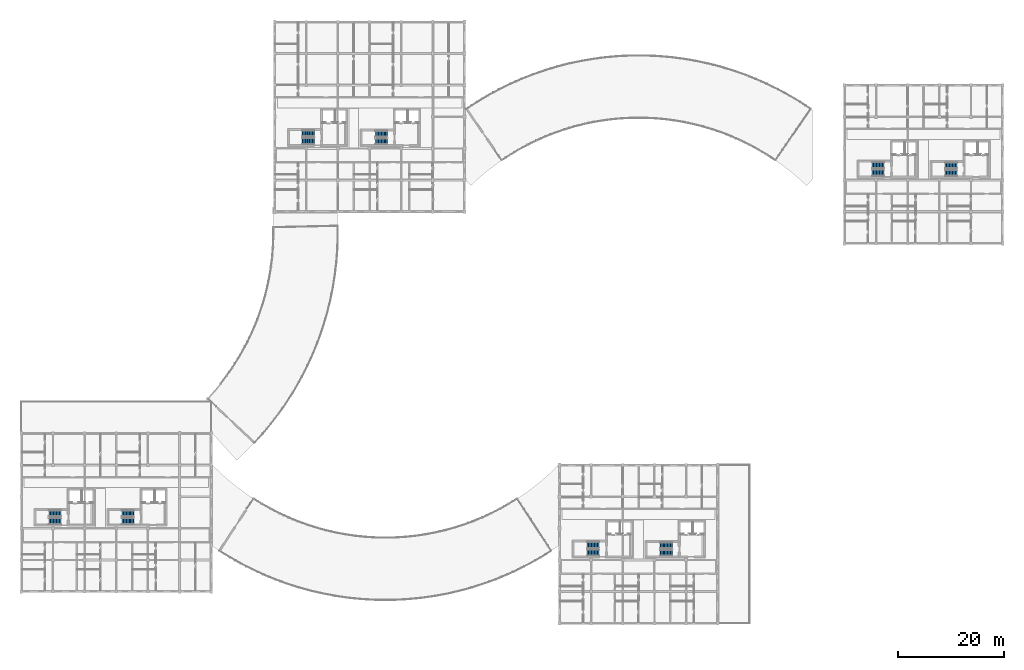
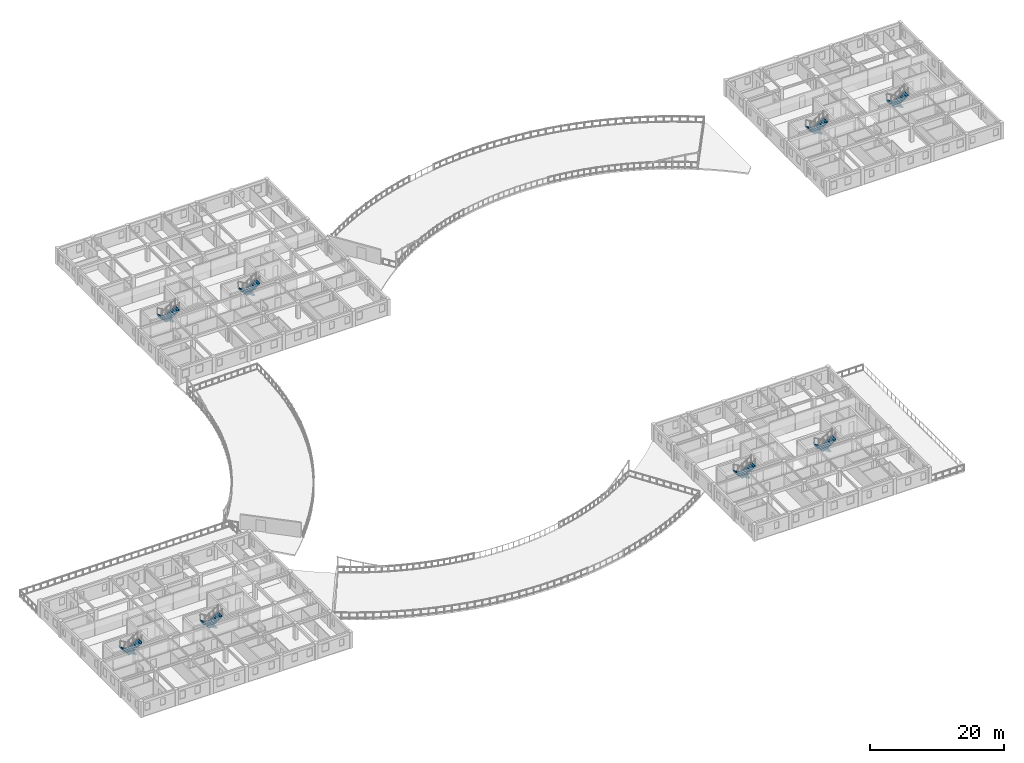
# One storey, part 44 of 58: 16 stair flights, 8 elements without a shape of their own.
"""IFC4 building model written with IfcOpenShell, lengths in metres."""

from ifc_helpers import new_model, si_unit, direction, frame, origin, place, context, subcontext, project, spatial, polyline, outline, extrude, material, type_object, element, aggregate, save


model = new_model("IFC4")

# Units and contexts
model_context = context("Model", 3, precision=1e-05, world=origin(), true_north=direction((0.0, 1.0)))
body_context = subcontext(model_context, "Body", "Model", "MODEL_VIEW")
ifc_project = project(units=[si_unit("LENGTHUNIT", "METRE"), si_unit("AREAUNIT", "SQUARE_METRE"), si_unit("VOLUMEUNIT", "CUBIC_METRE"), si_unit("PLANEANGLEUNIT", "RADIAN"), si_unit("MASSUNIT", "GRAM", prefix="KILO"), si_unit("POWERUNIT", "WATT"), si_unit("THERMODYNAMICTEMPERATUREUNIT", "KELVIN")], contexts=[model_context])

# Site, building, storey
site_placement = place(None, origin())
site = spatial("IfcSite", under=ifc_project, at=site_placement, CompositionType="ELEMENT")
building_placement = place(site_placement, origin())
building = spatial("IfcBuilding", under=site, at=building_placement, Name="Ruvembo Vaulted Housing Court", CompositionType="ELEMENT")
storey_placement = place(building_placement, frame((0.0, 0.0, 20.5)))
storey = spatial("IfcBuildingStorey", under=building, at=storey_placement, Name="L06", CompositionType="ELEMENT", Elevation=20.5)

# Stair, stair flights
ifc_material = material(Name="Concrete C35/45", Category="concrete")
stair_type_1 = type_object("IfcStairType", Name="STR-CORE-1200", PredefinedType="HALF_TURN_STAIR", material=ifc_material)
stair_1_placement = place(storey_placement, origin())
stair_1 = element("IfcStair", 1, at=stair_1_placement, inside=storey, type_object=stair_type_1, Name="L06 Protected Exit Stair ST-B2", PredefinedType="HALF_TURN_STAIR")
stair_flight_type_1 = type_object("IfcStairFlightType", Name="SFL-1200", PredefinedType="STRAIGHT", material=ifc_material)
stair_flight_1_placement = place(storey_placement, frame((69.35009765625, 92.75, 0.0), z_axis=(0.0, 0.0, 1.0), x_axis=(-1.0, 0.0, 0.0)))
stair_flight_1 = element("IfcStairFlight", 2, at=stair_flight_1_placement, type_object=stair_flight_type_1, Name="ST-B2 flight 1", NumberOfRisers=9, NumberOfTreads=8, PredefinedType="STRAIGHT", RiserHeight=0.177777778, TreadLength=0.28, context=body_context, shape_type="SweptSolid", body=[
    extrude(outline(polyline([(-0.02490234375, -0.0400390625), (-0.02490234375, 0.0), (0.0, 0.0), (0.0, 0.177734375), (0.280029296875, 0.177734375), (0.280029296875, 0.35546875), (0.56005859375, 0.35546875), (0.56005859375, 0.533447265625), (0.840087890625, 0.533447265625), (0.840087890625, 0.711181640625), (1.1201171875, 0.711181640625), (1.1201171875, 0.888916015625), (1.39990234375, 0.888916015625), (1.39990234375, 1.066650390625), (1.679931640625, 1.066650390625), (1.679931640625, 1.244384765625), (1.9599609375, 1.244384765625), (1.9599609375, 1.422119140625), (2.239990234375, 1.422119140625), (2.239990234375, 1.60009765625), (2.264892578125, 1.60009765625), (2.264892578125, 1.4501953125), (2.239990234375, 1.24462890625), (0.27978515625, 0.0), (0.0, -0.0400390625), (-0.02490234375, -0.0400390625)])), frame((0.0, 0.60009765625, 0.0), z_axis=(0.0, -1.0, 0.0), x_axis=(1.0, 0.0, 0.0)), (0.0, 0.0, 1.0), 1.199951171875),
])
stair_flight_2_placement = place(storey_placement, frame((67.110107421875, 91.35009765625, 1.60009765625), z_axis=(0.0, 0.0, 1.0), x_axis=(1.0, 0.0, 0.0)))
stair_flight_2 = element("IfcStairFlight", 3, at=stair_flight_2_placement, type_object=stair_flight_type_1, Name="ST-B2 flight 2", NumberOfRisers=9, NumberOfTreads=8, PredefinedType="STRAIGHT", RiserHeight=0.177777778, TreadLength=0.28, context=body_context, shape_type="SweptSolid", body=[
    extrude(outline(polyline([(-0.02490234375, -0.0400390625), (-0.02490234375, 0.0), (0.0, 0.0), (0.0, 0.177734375), (0.280029296875, 0.177734375), (0.280029296875, 0.35546875), (0.56005859375, 0.35546875), (0.56005859375, 0.533447265625), (0.840087890625, 0.533447265625), (0.840087890625, 0.711181640625), (1.1201171875, 0.711181640625), (1.1201171875, 0.888916015625), (1.39990234375, 0.888916015625), (1.39990234375, 1.066650390625), (1.679931640625, 1.066650390625), (1.679931640625, 1.244384765625), (1.9599609375, 1.244384765625), (1.9599609375, 1.422119140625), (2.239990234375, 1.422119140625), (2.239990234375, 1.60009765625), (2.264892578125, 1.60009765625), (2.264892578125, 1.4501953125), (2.239990234375, 1.24462890625), (0.27978515625, 0.0), (0.0, -0.0400390625), (-0.02490234375, -0.0400390625)])), frame((0.0, 0.60009765625, 0.0), z_axis=(0.0, -1.0, 0.0), x_axis=(1.0, 0.0, 0.0)), (0.0, 0.0, 1.0), 1.199951171875),
])
aggregate(stair_1, [stair_flight_1, stair_flight_2])

stair_2_placement = place(storey_placement, origin())
stair_2 = element("IfcStair", 4, at=stair_2_placement, inside=storey, type_object=stair_type_1, Name="L06 Protected Exit Stair ST-C2", PredefinedType="HALF_TURN_STAIR")
stair_flight_3_placement = place(storey_placement, frame((123.35009765625, 14.75, 0.0), z_axis=(0.0, 0.0, 1.0), x_axis=(-1.0, 0.0, 0.0)))
stair_flight_3 = element("IfcStairFlight", 5, at=stair_flight_3_placement, type_object=stair_flight_type_1, Name="ST-C2 flight 1", NumberOfRisers=9, NumberOfTreads=8, PredefinedType="STRAIGHT", RiserHeight=0.177777778, TreadLength=0.28, context=body_context, shape_type="SweptSolid", body=[
    extrude(outline(polyline([(-0.02490234375, -0.0400390625), (-0.02490234375, 0.0), (0.0, 0.0), (0.0, 0.177734375), (0.280029296875, 0.177734375), (0.280029296875, 0.35546875), (0.56005859375, 0.35546875), (0.56005859375, 0.533447265625), (0.840087890625, 0.533447265625), (0.840087890625, 0.711181640625), (1.1201171875, 0.711181640625), (1.1201171875, 0.888916015625), (1.39990234375, 0.888916015625), (1.39990234375, 1.066650390625), (1.679931640625, 1.066650390625), (1.679931640625, 1.244384765625), (1.9599609375, 1.244384765625), (1.9599609375, 1.422119140625), (2.239990234375, 1.422119140625), (2.239990234375, 1.60009765625), (2.264892578125, 1.60009765625), (2.264892578125, 1.4501953125), (2.239990234375, 1.24462890625), (0.27978515625, 0.0), (0.0, -0.0400390625), (-0.02490234375, -0.0400390625)])), frame((0.0, 0.60009765625, 0.0), z_axis=(0.0, -1.0, 0.0), x_axis=(1.0, 0.0, 0.0)), (0.0, 0.0, 1.0), 1.199951171875),
])
stair_flight_4_placement = place(storey_placement, frame((121.110107421875, 13.35009765625, 1.60009765625), z_axis=(0.0, 0.0, 1.0), x_axis=(1.0, 0.0, 0.0)))
stair_flight_4 = element("IfcStairFlight", 6, at=stair_flight_4_placement, type_object=stair_flight_type_1, Name="ST-C2 flight 2", NumberOfRisers=9, NumberOfTreads=8, PredefinedType="STRAIGHT", RiserHeight=0.177777778, TreadLength=0.28, context=body_context, shape_type="SweptSolid", body=[
    extrude(outline(polyline([(-0.02490234375, -0.0400390625), (-0.02490234375, 0.0), (0.0, 0.0), (0.0, 0.177734375), (0.280029296875, 0.177734375), (0.280029296875, 0.35546875), (0.56005859375, 0.35546875), (0.56005859375, 0.533447265625), (0.840087890625, 0.533447265625), (0.840087890625, 0.711181640625), (1.1201171875, 0.711181640625), (1.1201171875, 0.888916015625), (1.39990234375, 0.888916015625), (1.39990234375, 1.066650390625), (1.679931640625, 1.066650390625), (1.679931640625, 1.244384765625), (1.9599609375, 1.244384765625), (1.9599609375, 1.422119140625), (2.239990234375, 1.422119140625), (2.239990234375, 1.60009765625), (2.264892578125, 1.60009765625), (2.264892578125, 1.4501953125), (2.239990234375, 1.24462890625), (0.27978515625, 0.0), (0.0, -0.0400390625), (-0.02490234375, -0.0400390625)])), frame((0.0, 0.60009765625, 0.0), z_axis=(0.0, -1.0, 0.0), x_axis=(1.0, 0.0, 0.0)), (0.0, 0.0, 1.0), 1.199951171875),
])
aggregate(stair_2, [stair_flight_3, stair_flight_4])

stair_3_placement = place(storey_placement, origin())
stair_3 = element("IfcStair", 7, at=stair_3_placement, inside=storey, type_object=stair_type_1, Name="L06 Protected Exit Stair ST-D2", PredefinedType="HALF_TURN_STAIR")
stair_flight_5_placement = place(storey_placement, frame((177.35009765625, 86.75, 0.0), z_axis=(0.0, 0.0, 1.0), x_axis=(-1.0, 0.0, 0.0)))
stair_flight_5 = element("IfcStairFlight", 8, at=stair_flight_5_placement, type_object=stair_flight_type_1, Name="ST-D2 flight 1", NumberOfRisers=9, NumberOfTreads=8, PredefinedType="STRAIGHT", RiserHeight=0.177777778, TreadLength=0.28, context=body_context, shape_type="SweptSolid", body=[
    extrude(outline(polyline([(-0.02490234375, -0.0400390625), (-0.02490234375, 0.0), (0.0, 0.0), (0.0, 0.177734375), (0.280029296875, 0.177734375), (0.280029296875, 0.35546875), (0.56005859375, 0.35546875), (0.56005859375, 0.533447265625), (0.840087890625, 0.533447265625), (0.840087890625, 0.711181640625), (1.1201171875, 0.711181640625), (1.1201171875, 0.888916015625), (1.39990234375, 0.888916015625), (1.39990234375, 1.066650390625), (1.679931640625, 1.066650390625), (1.679931640625, 1.244384765625), (1.9599609375, 1.244384765625), (1.9599609375, 1.422119140625), (2.239990234375, 1.422119140625), (2.239990234375, 1.60009765625), (2.264892578125, 1.60009765625), (2.264892578125, 1.4501953125), (2.239990234375, 1.24462890625), (0.27978515625, 0.0), (0.0, -0.0400390625), (-0.02490234375, -0.0400390625)])), frame((0.0, 0.60009765625, 0.0), z_axis=(0.0, -1.0, 0.0), x_axis=(1.0, 0.0, 0.0)), (0.0, 0.0, 1.0), 1.199951171875),
])
stair_flight_6_placement = place(storey_placement, frame((175.110107421875, 85.35009765625, 1.60009765625), z_axis=(0.0, 0.0, 1.0), x_axis=(1.0, 0.0, 0.0)))
stair_flight_6 = element("IfcStairFlight", 9, at=stair_flight_6_placement, type_object=stair_flight_type_1, Name="ST-D2 flight 2", NumberOfRisers=9, NumberOfTreads=8, PredefinedType="STRAIGHT", RiserHeight=0.177777778, TreadLength=0.28, context=body_context, shape_type="SweptSolid", body=[
    extrude(outline(polyline([(-0.02490234375, -0.0400390625), (-0.02490234375, 0.0), (0.0, 0.0), (0.0, 0.177734375), (0.280029296875, 0.177734375), (0.280029296875, 0.35546875), (0.56005859375, 0.35546875), (0.56005859375, 0.533447265625), (0.840087890625, 0.533447265625), (0.840087890625, 0.711181640625), (1.1201171875, 0.711181640625), (1.1201171875, 0.888916015625), (1.39990234375, 0.888916015625), (1.39990234375, 1.066650390625), (1.679931640625, 1.066650390625), (1.679931640625, 1.244384765625), (1.9599609375, 1.244384765625), (1.9599609375, 1.422119140625), (2.239990234375, 1.422119140625), (2.239990234375, 1.60009765625), (2.264892578125, 1.60009765625), (2.264892578125, 1.4501953125), (2.239990234375, 1.24462890625), (0.27978515625, 0.0), (0.0, -0.0400390625), (-0.02490234375, -0.0400390625)])), frame((0.0, 0.60009765625, 0.0), z_axis=(0.0, -1.0, 0.0), x_axis=(1.0, 0.0, 0.0)), (0.0, 0.0, 1.0), 1.199951171875),
])
aggregate(stair_3, [stair_flight_5, stair_flight_6])

stair_type_2 = type_object("IfcStairType", Name="STR-CORE-1250", PredefinedType="HALF_TURN_STAIR", material=ifc_material)
stair_4_placement = place(storey_placement, origin())
stair_4 = element("IfcStair", 10, at=stair_4_placement, inside=storey, type_object=stair_type_2, Name="L06 Protected Exit Stair ST-A1", PredefinedType="HALF_TURN_STAIR")
stair_flight_type_2 = type_object("IfcStairFlightType", Name="SFL-1250", PredefinedType="STRAIGHT", material=ifc_material)
stair_flight_7_placement = place(storey_placement, frame((7.5, 20.824951171875, 0.0), z_axis=(0.0, 0.0, 1.0), x_axis=(-1.0, 0.0, 0.0)))
stair_flight_7 = element("IfcStairFlight", 11, at=stair_flight_7_placement, type_object=stair_flight_type_2, Name="ST-A1 flight 1", NumberOfRisers=9, NumberOfTreads=8, PredefinedType="STRAIGHT", RiserHeight=0.177777778, TreadLength=0.28, context=body_context, shape_type="SweptSolid", body=[
    extrude(outline(polyline([(-0.02490234375, -0.0400390625), (-0.02490234375, 0.0), (0.0, 0.0), (0.0, 0.177734375), (0.280029296875, 0.177734375), (0.280029296875, 0.35546875), (0.56005859375, 0.35546875), (0.56005859375, 0.533447265625), (0.840087890625, 0.533447265625), (0.840087890625, 0.711181640625), (1.1201171875, 0.711181640625), (1.1201171875, 0.888916015625), (1.39990234375, 0.888916015625), (1.39990234375, 1.066650390625), (1.679931640625, 1.066650390625), (1.679931640625, 1.244384765625), (1.9599609375, 1.244384765625), (1.9599609375, 1.422119140625), (2.239990234375, 1.422119140625), (2.239990234375, 1.60009765625), (2.264892578125, 1.60009765625), (2.264892578125, 1.4501953125), (2.239990234375, 1.24462890625), (0.27978515625, 0.0), (0.0, -0.0400390625), (-0.02490234375, -0.0400390625)])), frame((0.0, 0.625, 0.0), z_axis=(0.0, -1.0, 0.0), x_axis=(1.0, 0.0, 0.0)), (0.0, 0.0, 1.0), 1.25),
])
stair_flight_8_placement = place(storey_placement, frame((5.260009765625, 19.375, 1.60009765625), z_axis=(0.0, 0.0, 1.0), x_axis=(1.0, 0.0, 0.0)))
stair_flight_8 = element("IfcStairFlight", 12, at=stair_flight_8_placement, type_object=stair_flight_type_2, Name="ST-A1 flight 2", NumberOfRisers=9, NumberOfTreads=8, PredefinedType="STRAIGHT", RiserHeight=0.177777778, TreadLength=0.28, context=body_context, shape_type="SweptSolid", body=[
    extrude(outline(polyline([(-0.02490234375, -0.0400390625), (-0.02490234375, 0.0), (0.0, 0.0), (0.0, 0.177734375), (0.280029296875, 0.177734375), (0.280029296875, 0.35546875), (0.56005859375, 0.35546875), (0.56005859375, 0.533447265625), (0.840087890625, 0.533447265625), (0.840087890625, 0.711181640625), (1.1201171875, 0.711181640625), (1.1201171875, 0.888916015625), (1.39990234375, 0.888916015625), (1.39990234375, 1.066650390625), (1.679931640625, 1.066650390625), (1.679931640625, 1.244384765625), (1.9599609375, 1.244384765625), (1.9599609375, 1.422119140625), (2.239990234375, 1.422119140625), (2.239990234375, 1.60009765625), (2.264892578125, 1.60009765625), (2.264892578125, 1.4501953125), (2.239990234375, 1.24462890625), (0.27978515625, 0.0), (0.0, -0.0400390625), (-0.02490234375, -0.0400390625)])), frame((0.0, 0.625, 0.0), z_axis=(0.0, -1.0, 0.0), x_axis=(1.0, 0.0, 0.0)), (0.0, 0.0, 1.0), 1.25),
])
aggregate(stair_4, [stair_flight_7, stair_flight_8])

stair_5_placement = place(storey_placement, origin())
stair_5 = element("IfcStair", 13, at=stair_5_placement, inside=storey, type_object=stair_type_2, Name="L06 Protected Exit Stair ST-A2", PredefinedType="HALF_TURN_STAIR")
stair_flight_9_placement = place(storey_placement, frame((21.300048828125, 20.824951171875, 0.0), z_axis=(0.0, 0.0, 1.0), x_axis=(-1.0, 0.0, 0.0)))
stair_flight_9 = element("IfcStairFlight", 14, at=stair_flight_9_placement, type_object=stair_flight_type_2, Name="ST-A2 flight 1", NumberOfRisers=9, NumberOfTreads=8, PredefinedType="STRAIGHT", RiserHeight=0.177777778, TreadLength=0.28, context=body_context, shape_type="SweptSolid", body=[
    extrude(outline(polyline([(-0.02490234375, -0.0400390625), (-0.02490234375, 0.0), (0.0, 0.0), (0.0, 0.177734375), (0.280029296875, 0.177734375), (0.280029296875, 0.35546875), (0.56005859375, 0.35546875), (0.56005859375, 0.533447265625), (0.840087890625, 0.533447265625), (0.840087890625, 0.711181640625), (1.1201171875, 0.711181640625), (1.1201171875, 0.888916015625), (1.39990234375, 0.888916015625), (1.39990234375, 1.066650390625), (1.679931640625, 1.066650390625), (1.679931640625, 1.244384765625), (1.9599609375, 1.244384765625), (1.9599609375, 1.422119140625), (2.239990234375, 1.422119140625), (2.239990234375, 1.60009765625), (2.264892578125, 1.60009765625), (2.264892578125, 1.4501953125), (2.239990234375, 1.24462890625), (0.27978515625, 0.0), (0.0, -0.0400390625), (-0.02490234375, -0.0400390625)])), frame((0.0, 0.625, 0.0), z_axis=(0.0, -1.0, 0.0), x_axis=(1.0, 0.0, 0.0)), (0.0, 0.0, 1.0), 1.25),
])
stair_flight_10_placement = place(storey_placement, frame((19.06005859375, 19.375, 1.60009765625), z_axis=(0.0, 0.0, 1.0), x_axis=(1.0, 0.0, 0.0)))
stair_flight_10 = element("IfcStairFlight", 15, at=stair_flight_10_placement, type_object=stair_flight_type_2, Name="ST-A2 flight 2", NumberOfRisers=9, NumberOfTreads=8, PredefinedType="STRAIGHT", RiserHeight=0.177777778, TreadLength=0.28, context=body_context, shape_type="SweptSolid", body=[
    extrude(outline(polyline([(-0.02490234375, -0.0400390625), (-0.02490234375, 0.0), (0.0, 0.0), (0.0, 0.177734375), (0.280029296875, 0.177734375), (0.280029296875, 0.35546875), (0.56005859375, 0.35546875), (0.56005859375, 0.533447265625), (0.840087890625, 0.533447265625), (0.840087890625, 0.711181640625), (1.1201171875, 0.711181640625), (1.1201171875, 0.888916015625), (1.39990234375, 0.888916015625), (1.39990234375, 1.066650390625), (1.679931640625, 1.066650390625), (1.679931640625, 1.244384765625), (1.9599609375, 1.244384765625), (1.9599609375, 1.422119140625), (2.239990234375, 1.422119140625), (2.239990234375, 1.60009765625), (2.264892578125, 1.60009765625), (2.264892578125, 1.4501953125), (2.239990234375, 1.24462890625), (0.27978515625, 0.0), (0.0, -0.0400390625), (-0.02490234375, -0.0400390625)])), frame((0.0, 0.625, 0.0), z_axis=(0.0, -1.0, 0.0), x_axis=(1.0, 0.0, 0.0)), (0.0, 0.0, 1.0), 1.25),
])
aggregate(stair_5, [stair_flight_9, stair_flight_10])

stair_6_placement = place(storey_placement, origin())
stair_6 = element("IfcStair", 16, at=stair_6_placement, inside=storey, type_object=stair_type_2, Name="L06 Protected Exit Stair ST-B1", PredefinedType="HALF_TURN_STAIR")
stair_flight_11_placement = place(storey_placement, frame((55.5, 92.824951171875, 0.0), z_axis=(0.0, 0.0, 1.0), x_axis=(-1.0, 0.0, 0.0)))
stair_flight_11 = element("IfcStairFlight", 17, at=stair_flight_11_placement, type_object=stair_flight_type_2, Name="ST-B1 flight 1", NumberOfRisers=9, NumberOfTreads=8, PredefinedType="STRAIGHT", RiserHeight=0.177777778, TreadLength=0.28, context=body_context, shape_type="SweptSolid", body=[
    extrude(outline(polyline([(-0.02490234375, -0.0400390625), (-0.02490234375, 0.0), (0.0, 0.0), (0.0, 0.177734375), (0.280029296875, 0.177734375), (0.280029296875, 0.35546875), (0.56005859375, 0.35546875), (0.56005859375, 0.533447265625), (0.840087890625, 0.533447265625), (0.840087890625, 0.711181640625), (1.1201171875, 0.711181640625), (1.1201171875, 0.888916015625), (1.39990234375, 0.888916015625), (1.39990234375, 1.066650390625), (1.679931640625, 1.066650390625), (1.679931640625, 1.244384765625), (1.9599609375, 1.244384765625), (1.9599609375, 1.422119140625), (2.239990234375, 1.422119140625), (2.239990234375, 1.60009765625), (2.264892578125, 1.60009765625), (2.264892578125, 1.4501953125), (2.239990234375, 1.24462890625), (0.27978515625, 0.0), (0.0, -0.0400390625), (-0.02490234375, -0.0400390625)])), frame((0.0, 0.625, 0.0), z_axis=(0.0, -1.0, 0.0), x_axis=(1.0, 0.0, 0.0)), (0.0, 0.0, 1.0), 1.25),
])
stair_flight_12_placement = place(storey_placement, frame((53.260009765625, 91.375, 1.60009765625), z_axis=(0.0, 0.0, 1.0), x_axis=(1.0, 0.0, 0.0)))
stair_flight_12 = element("IfcStairFlight", 18, at=stair_flight_12_placement, type_object=stair_flight_type_2, Name="ST-B1 flight 2", NumberOfRisers=9, NumberOfTreads=8, PredefinedType="STRAIGHT", RiserHeight=0.177777778, TreadLength=0.28, context=body_context, shape_type="SweptSolid", body=[
    extrude(outline(polyline([(-0.02490234375, -0.0400390625), (-0.02490234375, 0.0), (0.0, 0.0), (0.0, 0.177734375), (0.280029296875, 0.177734375), (0.280029296875, 0.35546875), (0.56005859375, 0.35546875), (0.56005859375, 0.533447265625), (0.840087890625, 0.533447265625), (0.840087890625, 0.711181640625), (1.1201171875, 0.711181640625), (1.1201171875, 0.888916015625), (1.39990234375, 0.888916015625), (1.39990234375, 1.066650390625), (1.679931640625, 1.066650390625), (1.679931640625, 1.244384765625), (1.9599609375, 1.244384765625), (1.9599609375, 1.422119140625), (2.239990234375, 1.422119140625), (2.239990234375, 1.60009765625), (2.264892578125, 1.60009765625), (2.264892578125, 1.4501953125), (2.239990234375, 1.24462890625), (0.27978515625, 0.0), (0.0, -0.0400390625), (-0.02490234375, -0.0400390625)])), frame((0.0, 0.625, 0.0), z_axis=(0.0, -1.0, 0.0), x_axis=(1.0, 0.0, 0.0)), (0.0, 0.0, 1.0), 1.25),
])
aggregate(stair_6, [stair_flight_11, stair_flight_12])

stair_7_placement = place(storey_placement, origin())
stair_7 = element("IfcStair", 19, at=stair_7_placement, inside=storey, type_object=stair_type_2, Name="L06 Protected Exit Stair ST-C1", PredefinedType="HALF_TURN_STAIR")
stair_flight_13_placement = place(storey_placement, frame((109.5, 14.824951171875, 0.0), z_axis=(0.0, 0.0, 1.0), x_axis=(-1.0, 0.0, 0.0)))
stair_flight_13 = element("IfcStairFlight", 20, at=stair_flight_13_placement, type_object=stair_flight_type_2, Name="ST-C1 flight 1", NumberOfRisers=9, NumberOfTreads=8, PredefinedType="STRAIGHT", RiserHeight=0.177777778, TreadLength=0.28, context=body_context, shape_type="SweptSolid", body=[
    extrude(outline(polyline([(-0.02490234375, -0.0400390625), (-0.02490234375, 0.0), (0.0, 0.0), (0.0, 0.177734375), (0.280029296875, 0.177734375), (0.280029296875, 0.35546875), (0.56005859375, 0.35546875), (0.56005859375, 0.533447265625), (0.840087890625, 0.533447265625), (0.840087890625, 0.711181640625), (1.1201171875, 0.711181640625), (1.1201171875, 0.888916015625), (1.39990234375, 0.888916015625), (1.39990234375, 1.066650390625), (1.679931640625, 1.066650390625), (1.679931640625, 1.244384765625), (1.9599609375, 1.244384765625), (1.9599609375, 1.422119140625), (2.239990234375, 1.422119140625), (2.239990234375, 1.60009765625), (2.264892578125, 1.60009765625), (2.264892578125, 1.4501953125), (2.239990234375, 1.24462890625), (0.27978515625, 0.0), (0.0, -0.0400390625), (-0.02490234375, -0.0400390625)])), frame((0.0, 0.625, 0.0), z_axis=(0.0, -1.0, 0.0), x_axis=(1.0, 0.0, 0.0)), (0.0, 0.0, 1.0), 1.25),
])
stair_flight_14_placement = place(storey_placement, frame((107.260009765625, 13.375, 1.60009765625), z_axis=(0.0, 0.0, 1.0), x_axis=(1.0, 0.0, 0.0)))
stair_flight_14 = element("IfcStairFlight", 21, at=stair_flight_14_placement, type_object=stair_flight_type_2, Name="ST-C1 flight 2", NumberOfRisers=9, NumberOfTreads=8, PredefinedType="STRAIGHT", RiserHeight=0.177777778, TreadLength=0.28, context=body_context, shape_type="SweptSolid", body=[
    extrude(outline(polyline([(-0.02490234375, -0.0400390625), (-0.02490234375, 0.0), (0.0, 0.0), (0.0, 0.177734375), (0.280029296875, 0.177734375), (0.280029296875, 0.35546875), (0.56005859375, 0.35546875), (0.56005859375, 0.533447265625), (0.840087890625, 0.533447265625), (0.840087890625, 0.711181640625), (1.1201171875, 0.711181640625), (1.1201171875, 0.888916015625), (1.39990234375, 0.888916015625), (1.39990234375, 1.066650390625), (1.679931640625, 1.066650390625), (1.679931640625, 1.244384765625), (1.9599609375, 1.244384765625), (1.9599609375, 1.422119140625), (2.239990234375, 1.422119140625), (2.239990234375, 1.60009765625), (2.264892578125, 1.60009765625), (2.264892578125, 1.4501953125), (2.239990234375, 1.24462890625), (0.27978515625, 0.0), (0.0, -0.0400390625), (-0.02490234375, -0.0400390625)])), frame((0.0, 0.625, 0.0), z_axis=(0.0, -1.0, 0.0), x_axis=(1.0, 0.0, 0.0)), (0.0, 0.0, 1.0), 1.25),
])
aggregate(stair_7, [stair_flight_13, stair_flight_14])

stair_8_placement = place(storey_placement, origin())
stair_8 = element("IfcStair", 22, at=stair_8_placement, inside=storey, type_object=stair_type_2, Name="L06 Protected Exit Stair ST-D1", PredefinedType="HALF_TURN_STAIR")
stair_flight_15_placement = place(storey_placement, frame((163.5, 86.824951171875, 0.0), z_axis=(0.0, 0.0, 1.0), x_axis=(-1.0, 0.0, 0.0)))
stair_flight_15 = element("IfcStairFlight", 23, at=stair_flight_15_placement, type_object=stair_flight_type_2, Name="ST-D1 flight 1", NumberOfRisers=9, NumberOfTreads=8, PredefinedType="STRAIGHT", RiserHeight=0.177777778, TreadLength=0.28, context=body_context, shape_type="SweptSolid", body=[
    extrude(outline(polyline([(-0.02490234375, -0.0400390625), (-0.02490234375, 0.0), (0.0, 0.0), (0.0, 0.177734375), (0.280029296875, 0.177734375), (0.280029296875, 0.35546875), (0.56005859375, 0.35546875), (0.56005859375, 0.533447265625), (0.840087890625, 0.533447265625), (0.840087890625, 0.711181640625), (1.1201171875, 0.711181640625), (1.1201171875, 0.888916015625), (1.39990234375, 0.888916015625), (1.39990234375, 1.066650390625), (1.679931640625, 1.066650390625), (1.679931640625, 1.244384765625), (1.9599609375, 1.244384765625), (1.9599609375, 1.422119140625), (2.239990234375, 1.422119140625), (2.239990234375, 1.60009765625), (2.264892578125, 1.60009765625), (2.264892578125, 1.4501953125), (2.239990234375, 1.24462890625), (0.27978515625, 0.0), (0.0, -0.0400390625), (-0.02490234375, -0.0400390625)])), frame((0.0, 0.625, 0.0), z_axis=(0.0, -1.0, 0.0), x_axis=(1.0, 0.0, 0.0)), (0.0, 0.0, 1.0), 1.25),
])
stair_flight_16_placement = place(storey_placement, frame((161.260009765625, 85.375, 1.60009765625), z_axis=(0.0, 0.0, 1.0), x_axis=(1.0, 0.0, 0.0)))
stair_flight_16 = element("IfcStairFlight", 24, at=stair_flight_16_placement, type_object=stair_flight_type_2, Name="ST-D1 flight 2", NumberOfRisers=9, NumberOfTreads=8, PredefinedType="STRAIGHT", RiserHeight=0.177777778, TreadLength=0.28, context=body_context, shape_type="SweptSolid", body=[
    extrude(outline(polyline([(-0.02490234375, -0.0400390625), (-0.02490234375, 0.0), (0.0, 0.0), (0.0, 0.177734375), (0.280029296875, 0.177734375), (0.280029296875, 0.35546875), (0.56005859375, 0.35546875), (0.56005859375, 0.533447265625), (0.840087890625, 0.533447265625), (0.840087890625, 0.711181640625), (1.1201171875, 0.711181640625), (1.1201171875, 0.888916015625), (1.39990234375, 0.888916015625), (1.39990234375, 1.066650390625), (1.679931640625, 1.066650390625), (1.679931640625, 1.244384765625), (1.9599609375, 1.244384765625), (1.9599609375, 1.422119140625), (2.239990234375, 1.422119140625), (2.239990234375, 1.60009765625), (2.264892578125, 1.60009765625), (2.264892578125, 1.4501953125), (2.239990234375, 1.24462890625), (0.27978515625, 0.0), (0.0, -0.0400390625), (-0.02490234375, -0.0400390625)])), frame((0.0, 0.625, 0.0), z_axis=(0.0, -1.0, 0.0), x_axis=(1.0, 0.0, 0.0)), (0.0, 0.0, 1.0), 1.25),
])
aggregate(stair_8, [stair_flight_15, stair_flight_16])

save(model, "model.ifc")
